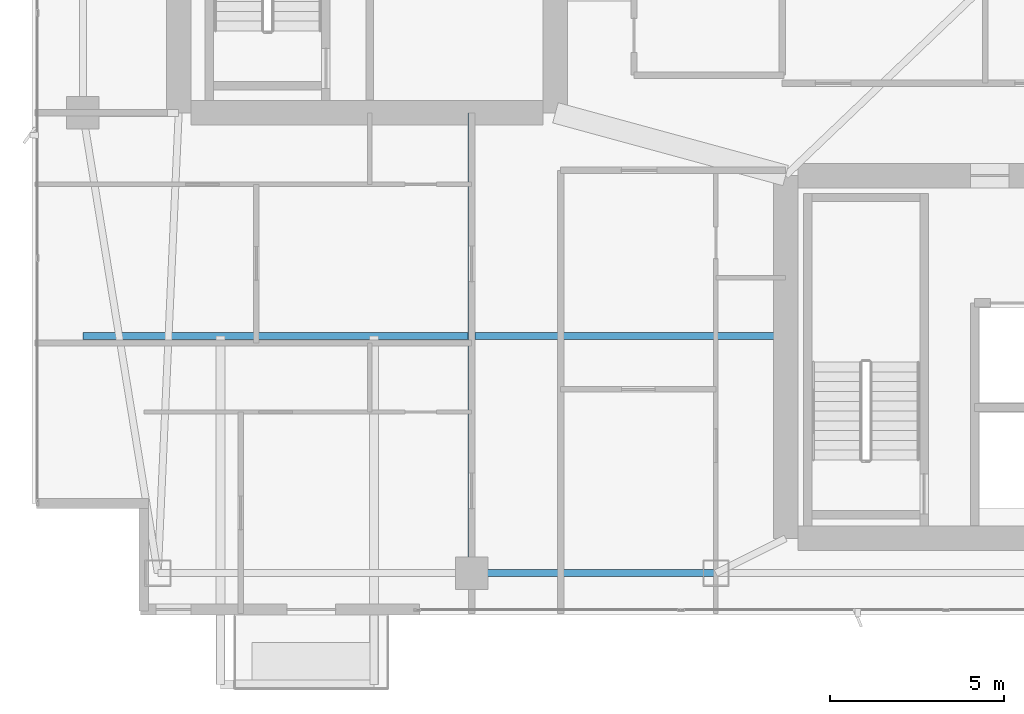
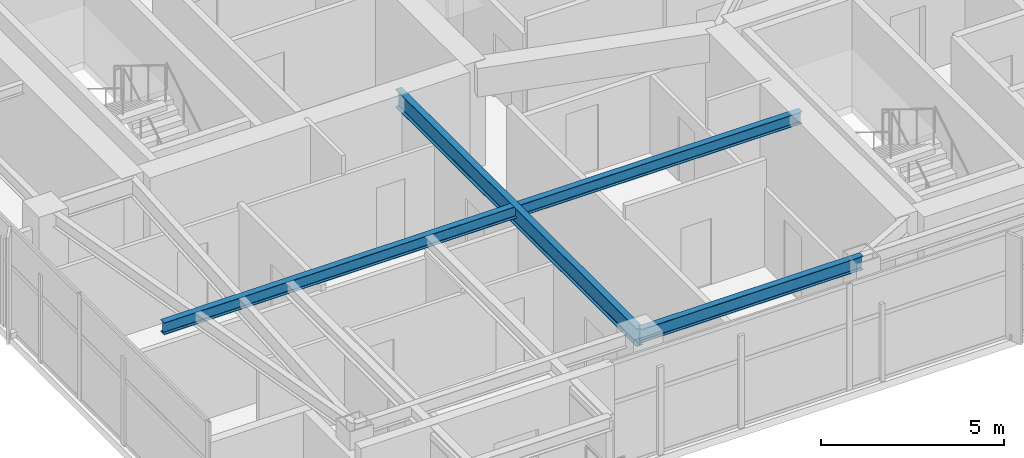
# One storey, part 5 of 30: 3 beams.
"""IFC4 building model written with IfcOpenShell, lengths in metres."""

from ifc_helpers import new_model, si_unit, direction, frame, origin, origin_2d, place, context, subcontext, project, spatial, i_section, extrude, material, material_profile, profile_set, type_object, element, save


model = new_model("IFC4")

# Units and contexts
model_context = context("Model", 3, precision=1e-05, world=origin(), true_north=direction((0.0, 1.0)))
body_context = subcontext(model_context, "Body", "Model", "MODEL_VIEW")
ifc_project = project(units=[si_unit("LENGTHUNIT", "METRE"), si_unit("AREAUNIT", "SQUARE_METRE"), si_unit("VOLUMEUNIT", "CUBIC_METRE"), si_unit("PLANEANGLEUNIT", "RADIAN"), si_unit("MASSUNIT", "GRAM", prefix="KILO")], contexts=[model_context])

# Site, building, storey
site_placement = place(None, origin())
site = spatial("IfcSite", under=ifc_project, at=site_placement, CompositionType="ELEMENT")
building_placement = place(site_placement, origin())
building = spatial("IfcBuilding", under=site, at=building_placement, Name="Calvorn Quay Hotel", CompositionType="ELEMENT")
storey_placement = place(building_placement, frame((0.0, 0.0, 203.39990234375)))
storey = spatial("IfcBuildingStorey", under=building, at=storey_placement, Name="L50", CompositionType="ELEMENT", Elevation=203.39990234375)

# Beams
ifc_material_1 = material(Name="Steel Q355B", Category="steel")
ifc_material_profile_1 = material_profile(ifc_material_1, i_section(OverallWidth=0.199951171875, OverallDepth=0.60009765625, WebThickness=0.010986328125, FlangeThickness=0.01708984375, FilletRadius=0.01806640625, at=origin_2d()), Name="HN600x200x11x17")
ifc_profile_set_1 = profile_set([ifc_material_profile_1], Name="Steel Q355B")
beam_type_1 = type_object("IfcBeamType", Name="BM-GIRD-TYP", PredefinedType="BEAM", material=ifc_profile_set_1)
beam_1_placement = place(storey_placement, frame((12.60009765625, 3.60009765625, 3.239990234375), z_axis=(0.0, 1.0, 0.0), x_axis=(-1.0, 0.0, 0.0)))
element("IfcBeam", 1, at=beam_1_placement, inside=storey, type_object=beam_type_1, Name="Beam BG-L50-S1", PredefinedType="BEAM", context=body_context, shape_type="SweptSolid", body=[
    extrude(i_section(OverallWidth=0.199951171875, OverallDepth=0.60009765625, WebThickness=0.010986328125, FlangeThickness=0.01708984375, FilletRadius=0.01806640625, at=origin_2d()), origin(), (0.0, 0.0, 1.0), 13.199951171875),
])
ifc_material_2 = material(Name="Steel Q355B", Category="steel")
ifc_material_profile_2 = material_profile(ifc_material_2, i_section(OverallWidth=0.199951171875, OverallDepth=0.39990234375, WebThickness=0.008056640625, FlangeThickness=0.012939453125, FilletRadius=0.01611328125, at=origin_2d()), Name="HN400x200x8x13")
ifc_profile_set_2 = profile_set([ifc_material_profile_2], Name="Steel Q355B")
beam_type_2 = type_object("IfcBeamType", Name="BM-JOIST-TYP", PredefinedType="JOIST", material=ifc_profile_set_2)
beam_2_placement = place(storey_placement, frame((1.449951171875, 10.39990234375, 3.340087890625), z_axis=(1.0, 0.0, 0.0), x_axis=(0.0, 1.0, 0.0)))
element("IfcBeam", 2, at=beam_2_placement, inside=storey, type_object=beam_type_2, Name="Beam BJ-L50-W1", PredefinedType="JOIST", context=body_context, shape_type="SweptSolid", body=[
    extrude(i_section(OverallWidth=0.199951171875, OverallDepth=0.39990234375, WebThickness=0.008056640625, FlangeThickness=0.012939453125, FilletRadius=0.01611328125, at=origin_2d()), origin(), (0.0, 0.0, 1.0), 20.150146484375),
])
ifc_material_3 = material(Name="Steel Q355B", Category="steel")
ifc_material_profile_3 = material_profile(ifc_material_3, i_section(OverallWidth=0.199951171875, OverallDepth=0.449951171875, WebThickness=0.009033203125, FlangeThickness=0.013916015625, FilletRadius=0.01611328125, at=origin_2d()), Name="HN450x200x9x14")
ifc_profile_set_3 = profile_set([ifc_material_profile_3], Name="Steel Q355B")
beam_type_3 = type_object("IfcBeamType", Name="BM-SPANDREL-Z3", PredefinedType="SPANDREL", material=ifc_profile_set_3)
beam_3_placement = place(storey_placement, frame((12.60009765625, 3.60009765625, 3.315185546875), z_axis=(1.0, 0.0, 0.0), x_axis=(0.0, 1.0, 0.0)))
element("IfcBeam", 3, at=beam_3_placement, inside=storey, type_object=beam_type_3, Name="Beam BSP-L50-S2", PredefinedType="SPANDREL", context=body_context, shape_type="SweptSolid", body=[
    extrude(i_section(OverallWidth=0.199951171875, OverallDepth=0.449951171875, WebThickness=0.009033203125, FlangeThickness=0.013916015625, FilletRadius=0.01611328125, at=origin_2d()), origin(), (0.0, 0.0, 1.0), 7.0),
])

save(model, "model.ifc")
